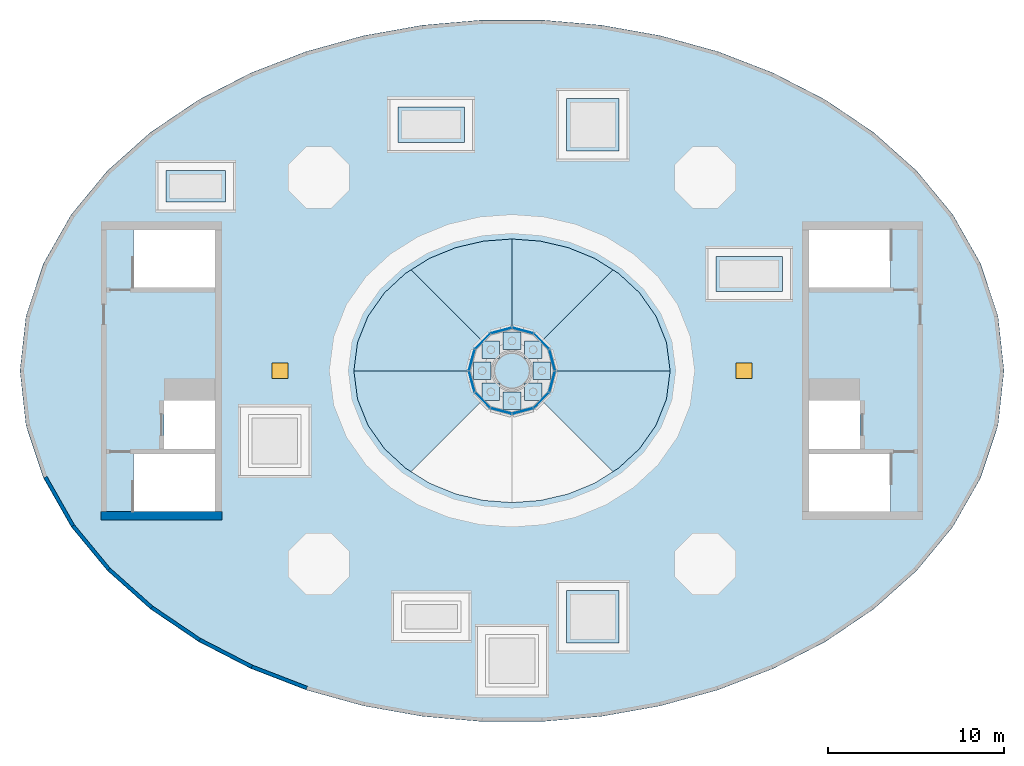
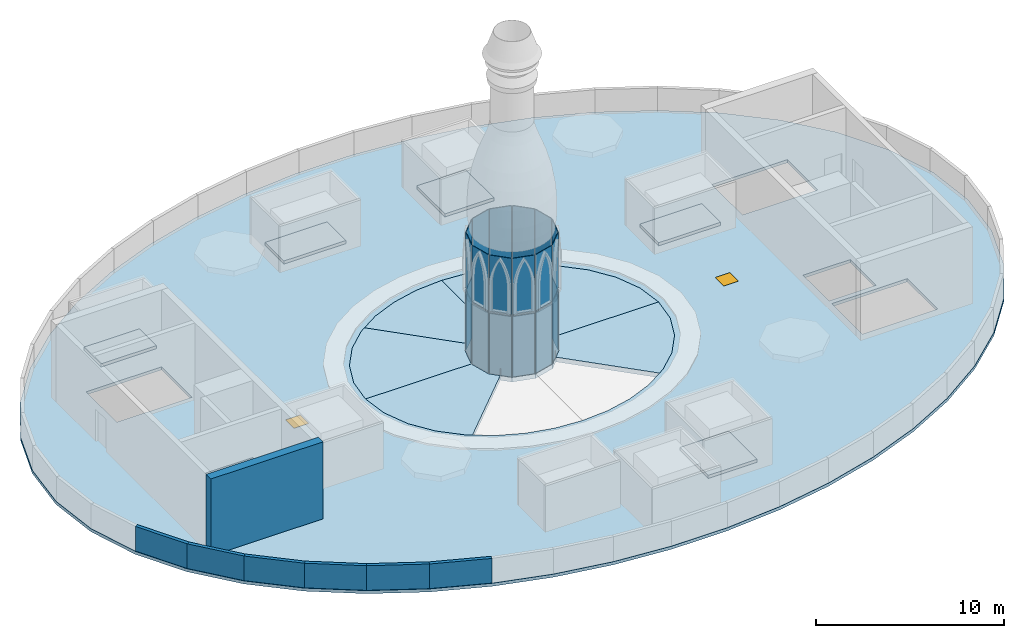
# One storey, part 2 of 7: 24 plates, 21 slabs, 7 walls, 2 windows, 2 openings, 12 elements without a shape of their own.
"""IFC4 building model written with IfcOpenShell, lengths in metres."""

import ifcopenshell
import ifcopenshell.guid

model = None  # the IFC model being written
_history = None  # IfcOwnerHistory: only IFC2X3 demands one
_inside = {}  # id of a spatial element -> (the spatial element, [elements in it])
_under = {}  # id of a project, library or spatial element -> (it, [spatial elements below it])
_declared = {}  # id of a project -> (the project, [libraries it declares])
_typed = {}  # id of a type object -> (the type object, [elements of that type])
_made_of = {}  # id of a material, layer set ... -> (it, [elements and type objects made of it])


def new_model(schema):
    """Start an empty IFC model of exactly this schema.

    Asked for "IFC4X3", IfcOpenShell would pick the latest addendum, in which some entities
    have other attributes; the version numbers below select the first issue.
    IFC2X3 requires an IfcOwnerHistory on every rooted entity: one is made here for all.
    """
    global model, _history
    if schema == "IFC4X3":
        model = ifcopenshell.file(schema_version=(4, 3, 0, 0))
    else:
        model = ifcopenshell.file(schema=schema)
    _inside.clear()
    _under.clear()
    _declared.clear()
    _typed.clear()
    _made_of.clear()
    _history = None
    if model.schema == "IFC2X3":
        org = make("IfcOrganization", Name="unknown")
        user = make(
            "IfcPersonAndOrganization",
            ThePerson=make("IfcPerson", FamilyName="unknown"),
            TheOrganization=org,
        )
        app = make(
            "IfcApplication",
            ApplicationDeveloper=org,
            Version="unknown",
            ApplicationFullName="unknown",
            ApplicationIdentifier="unknown",
        )
        _history = make(
            "IfcOwnerHistory",
            OwningUser=user,
            OwningApplication=app,
            ChangeAction="ADDED",
            CreationDate=0,
        )
    return model


def make(cls, **values):
    """One entity of the class cls with the attributes given. An attribute that is None is left unset."""
    return model.create_entity(
        cls, **{name: value for name, value in values.items() if value is not None}
    )


def rooted(cls, **values):
    """An entity with a GlobalId (a new one), such as an element, a storey or a relation."""
    return make(cls, GlobalId=ifcopenshell.guid.new(), OwnerHistory=_history, **values)


def si_unit(unit_type, name, prefix=None):
    """IfcSIUnit, for example si_unit("LENGTHUNIT", "METRE", prefix="MILLI")."""
    return make("IfcSIUnit", UnitType=unit_type, Prefix=prefix, Name=name)


def assignment(units):
    """IfcUnitAssignment: the units of a project."""
    return None if units is None else make("IfcUnitAssignment", Units=units)


def point(xyz):
    """IfcCartesianPoint."""
    return None if xyz is None else make("IfcCartesianPoint", Coordinates=xyz)


def direction(xyz):
    """IfcDirection."""
    return None if xyz is None else make("IfcDirection", DirectionRatios=xyz)


def frame(location, z_axis=None, x_axis=None):
    """IfcAxis2Placement3D, a coordinate frame: its origin and axes. An axis left out is left unset."""
    return make(
        "IfcAxis2Placement3D",
        Location=point(location),
        Axis=direction(z_axis),
        RefDirection=direction(x_axis),
    )


def frame_2d(location, x_axis=None):
    """IfcAxis2Placement2D, a coordinate frame in the plane: its origin and x axis."""
    return make(
        "IfcAxis2Placement2D", Location=point(location), RefDirection=direction(x_axis)
    )


def origin():
    """The frame at (0, 0, 0) with its axes left unset."""
    return frame((0.0, 0.0, 0.0))


def origin_2d():
    """The frame at (0, 0) in the plane with its x axis left unset."""
    return frame_2d((0.0, 0.0))


def place(relative_to, where):
    """IfcLocalPlacement: puts the frame where relative to a parent placement (None: the world)."""
    return make(
        "IfcLocalPlacement", PlacementRelTo=relative_to, RelativePlacement=where
    )


def context(
    kind, dimensions, precision=None, world=None, true_north=None, identifier=None
):
    """IfcGeometricRepresentationContext, for example the 3D "Model" context."""
    return make(
        "IfcGeometricRepresentationContext",
        ContextIdentifier=identifier,
        ContextType=kind,
        CoordinateSpaceDimension=dimensions,
        Precision=precision,
        WorldCoordinateSystem=world,
        TrueNorth=true_north,
    )


def subcontext(parent, identifier, kind, view, scale=None):
    """IfcGeometricRepresentationSubContext, for example "Body" below "Model"."""
    return make(
        "IfcGeometricRepresentationSubContext",
        ContextIdentifier=identifier,
        ContextType=kind,
        ParentContext=parent,
        TargetScale=scale,
        TargetView=view,
    )


def project(units=None, contexts=None):
    """IfcProject with its units and contexts."""
    return rooted(
        "IfcProject",
        Name="project",
        RepresentationContexts=contexts,
        UnitsInContext=assignment(units),
    )


def spatial(cls, under=None, at=None, **own):
    """A site, building, storey or space (cls), placed at a placement, below another one or the project."""
    s = rooted(cls, ObjectPlacement=at, **own)
    if under is not None:
        _under.setdefault(under.id(), (under, []))[1].append(s)
    return s


def polyline(points):
    """IfcPolyline through the points."""
    return make("IfcPolyline", Points=[point(p) for p in points])


def profile(cls, at=None, kind="AREA", **sizes):
    """A parametric profile (cls). Its sizes go by their IFC names, for example OverallWidth=200.0."""
    return make(cls, ProfileType=kind, Position=at, **sizes)


def rectangle(**sizes):
    """IfcRectangleProfileDef."""
    return profile("IfcRectangleProfileDef", **sizes)


def outline(outer, holes=None, kind="AREA"):
    """IfcArbitraryClosedProfileDef: a profile drawn as a closed curve; with holes, ...WithVoids."""
    if holes is None:
        return make("IfcArbitraryClosedProfileDef", ProfileType=kind, OuterCurve=outer)
    return make(
        "IfcArbitraryProfileDefWithVoids",
        ProfileType=kind,
        OuterCurve=outer,
        InnerCurves=holes,
    )


def extrude(swept, where, along, depth):
    """IfcExtrudedAreaSolid: the profile swept, set in the frame where, extruded along a direction by depth."""
    return make(
        "IfcExtrudedAreaSolid",
        SweptArea=swept,
        Position=where,
        ExtrudedDirection=direction(along),
        Depth=depth,
    )


def shape(context_of_items, identifier, shape_type, items):
    """IfcShapeRepresentation: the items that make up one representation, for example the "Body"."""
    return make(
        "IfcShapeRepresentation",
        ContextOfItems=context_of_items,
        RepresentationIdentifier=identifier,
        RepresentationType=shape_type,
        Items=items,
    )


def material(Name=None, Category=None):
    """IfcMaterial."""
    return make("IfcMaterial", Name=Name, Category=Category)


def layer(
    of_material, thickness, ventilated=None, Name=None, Category=None, Priority=None
):
    """IfcMaterialLayer: one layer of a wall or slab, of a material (None: an air gap)."""
    return make(
        "IfcMaterialLayer",
        Material=of_material,
        LayerThickness=thickness,
        IsVentilated=ventilated,
        Name=Name,
        Category=Category,
        Priority=Priority,
    )


def layer_set(layers, Name=None):
    """IfcMaterialLayerSet."""
    return make("IfcMaterialLayerSet", MaterialLayers=layers, LayerSetName=Name)


def made_of(thing, what):
    """Note that an element or type object is made of a material, layer set ...; save() writes the relation."""
    if what is not None:
        _made_of.setdefault(what.id(), (what, []))[1].append(thing)
    return thing


def type_object(cls, material=None, **own):
    """A type object (cls), such as IfcWallType, which elements share."""
    return made_of(rooted(cls, **own), material)


def element(
    cls,
    number,
    at=None,
    inside=None,
    cuts=None,
    type_object=None,
    material=None,
    context=None,
    identifier="Body",
    shape_type=None,
    held_by="IfcProductDefinitionShape",
    body=None,
    shapes=None,
    **own,
):
    """One element of the class cls, such as IfcWall. Its Tag is "e" and its number.

    at: its placement. inside: the storey or other place that contains it. cuts: it is an
    opening in that element (IfcRelVoidsElement). A single representation is given by context,
    identifier, shape_type and body (its items); several are given by shapes. held_by: the class
    of the entity that holds the representations. save() writes the other relations.
    """
    e = rooted(cls, Tag="e%d" % number, ObjectPlacement=at, **own)
    if body is not None:
        shapes = [shape(context, identifier, shape_type, body)]
    if shapes is not None:
        e.Representation = make(held_by, Representations=shapes)
    if inside is not None:
        _inside.setdefault(inside.id(), (inside, []))[1].append(e)
    if cuts is not None:
        rooted(
            "IfcRelVoidsElement", RelatingBuildingElement=cuts, RelatedOpeningElement=e
        )
    if type_object is not None:
        _typed.setdefault(type_object.id(), (type_object, []))[1].append(e)
    return made_of(e, material)


def fill(opening, filler):
    """IfcRelFillsElement: the door or window that sits in an opening."""
    return rooted(
        "IfcRelFillsElement",
        RelatingOpeningElement=opening,
        RelatedBuildingElement=filler,
    )


def aggregate(whole, parts):
    """IfcRelAggregates: a whole, such as a stair, and the parts it consists of."""
    return rooted("IfcRelAggregates", RelatingObject=whole, RelatedObjects=parts)


def save(model, path):
    """Write the relations noted so far, then the file.

    IfcRelAggregates (storeys below a building ...), IfcRelContainedInSpatialStructure (elements
    in a storey), IfcRelDefinesByType, IfcRelAssociatesMaterial and IfcRelDeclares: one each for
    every whole, place, type object, material and project.
    """
    for whole, parts in _under.values():
        aggregate(whole, parts)
    for where, things in _inside.values():
        rooted(
            "IfcRelContainedInSpatialStructure",
            RelatedElements=things,
            RelatingStructure=where,
        )
    for kind, things in _typed.values():
        rooted("IfcRelDefinesByType", RelatedObjects=things, RelatingType=kind)
    for what, things in _made_of.values():
        rooted("IfcRelAssociatesMaterial", RelatedObjects=things, RelatingMaterial=what)
    for by, libraries in _declared.values():
        rooted("IfcRelDeclares", RelatingContext=by, RelatedDefinitions=libraries)
    model.write(path)


model = new_model("IFC4")

# Units and contexts
model_context = context("Model", 3, precision=1e-05, world=origin(), true_north=direction((0.0, 1.0)))
body_context = subcontext(model_context, "Body", "Model", "MODEL_VIEW")
ifc_project = project(units=[si_unit("LENGTHUNIT", "METRE"), si_unit("AREAUNIT", "SQUARE_METRE"), si_unit("VOLUMEUNIT", "CUBIC_METRE"), si_unit("PLANEANGLEUNIT", "RADIAN"), si_unit("MASSUNIT", "GRAM", prefix="KILO")], contexts=[model_context])

# Site, building, storey
site_placement = place(None, origin())
site = spatial("IfcSite", under=ifc_project, at=site_placement, CompositionType="ELEMENT")
building_placement = place(site_placement, origin())
building = spatial("IfcBuilding", under=site, at=building_placement, Name="Noorbagh Ring Tower", CompositionType="ELEMENT")
storey_placement = place(building_placement, frame((0.0, 0.0, 356.5)))
storey = spatial("IfcBuildingStorey", under=building, at=storey_placement, Name="L78", CompositionType="ELEMENT", Elevation=356.5)

# Curtain wall, plates
ifc_material_1 = material(Name="Aluminium 6063-T6 black anodised and glass", Category="aluminium")
ifc_layer_1 = layer(ifc_material_1, 0.14990234375)
ifc_layer_set_1 = layer_set([ifc_layer_1], Name="Aluminium 6063-T6 black anodised and glass")
curtain_wall_type = type_object("IfcCurtainWallType", Name="ENV-CW-D", PredefinedType="NOTDEFINED", material=ifc_layer_set_1)
curtain_wall_1_placement = place(storey_placement, origin())
curtain_wall_1 = element("IfcCurtainWall", 1, at=curtain_wall_1_placement, inside=storey, type_object=curtain_wall_type, Name="Curtain wall D drum 01", PredefinedType="NOTDEFINED")
ifc_material_2 = material(Name="Glass dark tinted laminated", Category="glass")
ifc_layer_2 = layer(ifc_material_2, 0.031982421875)
ifc_layer_set_2 = layer_set([ifc_layer_2], Name="Glass dark tinted laminated")
plate_type = type_object("IfcPlateType", Name="ENV-PANEL-D", PredefinedType="CURTAIN_PANEL", material=ifc_layer_set_2)
placement = place(building_placement, frame((0.0, 0.0, 360.14990234375)))
plate_1_placement = place(placement, frame((2.2890625, 0.61328125, 0.400146484375), z_axis=(0.0, 0.0, 1.0), x_axis=(-0.258819045103, 0.965925826289, 0.0)))
plate_1 = element("IfcPlate", 2, at=plate_1_placement, type_object=plate_type, Name="Glass panel D chord 01", PredefinedType="CURTAIN_PANEL", context=body_context, shape_type="SweptSolid", body=[
    extrude(rectangle(XDim=1.2138671875, YDim=0.031982421875, at=origin_2d()), origin(), (0.0, 0.0, 1.0), 3.64990234375),
])
plate_2_placement = place(storey_placement, frame((2.2890625, 0.61328125, 0.0), z_axis=(0.0, 0.0, 1.0), x_axis=(-0.258819045103, 0.965925826289, 0.0)))
plate_2 = element("IfcPlate", 3, at=plate_2_placement, type_object=plate_type, Name="Glass panel D chord 01 lower", PredefinedType="CURTAIN_PANEL", context=body_context, shape_type="SweptSolid", body=[
    extrude(rectangle(XDim=1.2138671875, YDim=0.031982421875, at=origin_2d()), origin(), (0.0, 0.0, 1.0), 3.949951171875),
])
aggregate(curtain_wall_1, [plate_1, plate_2])

curtain_wall_2_placement = place(storey_placement, origin())
curtain_wall_2 = element("IfcCurtainWall", 4, at=curtain_wall_2_placement, inside=storey, type_object=curtain_wall_type, Name="Curtain wall D drum 02", PredefinedType="NOTDEFINED")
plate_3_placement = place(placement, frame((1.67578125, 1.67578125, 0.400146484375), z_axis=(0.0, 0.0, 1.0), x_axis=(-0.707106781187, 0.707106781187, 0.0)))
plate_3 = element("IfcPlate", 5, at=plate_3_placement, type_object=plate_type, Name="Glass panel D chord 02", PredefinedType="CURTAIN_PANEL", context=body_context, shape_type="SweptSolid", body=[
    extrude(rectangle(XDim=1.2138671875, YDim=0.031982421875, at=origin_2d()), origin(), (0.0, 0.0, 1.0), 3.64990234375),
])
plate_4_placement = place(storey_placement, frame((1.67578125, 1.67578125, 0.0), z_axis=(0.0, 0.0, 1.0), x_axis=(-0.707106781187, 0.707106781187, 0.0)))
plate_4 = element("IfcPlate", 6, at=plate_4_placement, type_object=plate_type, Name="Glass panel D chord 02 lower", PredefinedType="CURTAIN_PANEL", context=body_context, shape_type="SweptSolid", body=[
    extrude(rectangle(XDim=1.2138671875, YDim=0.031982421875, at=origin_2d()), origin(), (0.0, 0.0, 1.0), 3.949951171875),
])
aggregate(curtain_wall_2, [plate_3, plate_4])

curtain_wall_3_placement = place(storey_placement, origin())
curtain_wall_3 = element("IfcCurtainWall", 7, at=curtain_wall_3_placement, inside=storey, type_object=curtain_wall_type, Name="Curtain wall D drum 03", PredefinedType="NOTDEFINED")
plate_5_placement = place(placement, frame((0.61328125, 2.2890625, 0.400146484375), z_axis=(0.0, 0.0, 1.0), x_axis=(-0.965925826289, 0.258819045103, 0.0)))
plate_5 = element("IfcPlate", 8, at=plate_5_placement, type_object=plate_type, Name="Glass panel D chord 03", PredefinedType="CURTAIN_PANEL", context=body_context, shape_type="SweptSolid", body=[
    extrude(rectangle(XDim=1.2138671875, YDim=0.031982421875, at=origin_2d()), origin(), (0.0, 0.0, 1.0), 3.64990234375),
])
plate_6_placement = place(storey_placement, frame((0.61328125, 2.2890625, 0.0), z_axis=(0.0, 0.0, 1.0), x_axis=(-0.965925826289, 0.258819045103, 0.0)))
plate_6 = element("IfcPlate", 9, at=plate_6_placement, type_object=plate_type, Name="Glass panel D chord 03 lower", PredefinedType="CURTAIN_PANEL", context=body_context, shape_type="SweptSolid", body=[
    extrude(rectangle(XDim=1.2138671875, YDim=0.031982421875, at=origin_2d()), origin(), (0.0, 0.0, 1.0), 3.949951171875),
])
aggregate(curtain_wall_3, [plate_5, plate_6])

curtain_wall_4_placement = place(storey_placement, origin())
curtain_wall_4 = element("IfcCurtainWall", 10, at=curtain_wall_4_placement, inside=storey, type_object=curtain_wall_type, Name="Curtain wall D drum 04", PredefinedType="NOTDEFINED")
plate_7_placement = place(placement, frame((-0.61328125, 2.2890625, 0.400146484375), z_axis=(0.0, 0.0, 1.0), x_axis=(-0.965925826289, -0.258819045103, 0.0)))
plate_7 = element("IfcPlate", 11, at=plate_7_placement, type_object=plate_type, Name="Glass panel D chord 04", PredefinedType="CURTAIN_PANEL", context=body_context, shape_type="SweptSolid", body=[
    extrude(rectangle(XDim=1.2138671875, YDim=0.031982421875, at=origin_2d()), origin(), (0.0, 0.0, 1.0), 3.64990234375),
])
plate_8_placement = place(storey_placement, frame((-0.61328125, 2.2890625, 0.0), z_axis=(0.0, 0.0, 1.0), x_axis=(-0.965925826289, -0.258819045103, 0.0)))
plate_8 = element("IfcPlate", 12, at=plate_8_placement, type_object=plate_type, Name="Glass panel D chord 04 lower", PredefinedType="CURTAIN_PANEL", context=body_context, shape_type="SweptSolid", body=[
    extrude(rectangle(XDim=1.2138671875, YDim=0.031982421875, at=origin_2d()), origin(), (0.0, 0.0, 1.0), 3.949951171875),
])
aggregate(curtain_wall_4, [plate_7, plate_8])

curtain_wall_5_placement = place(storey_placement, origin())
curtain_wall_5 = element("IfcCurtainWall", 13, at=curtain_wall_5_placement, inside=storey, type_object=curtain_wall_type, Name="Curtain wall D drum 05", PredefinedType="NOTDEFINED")
plate_9_placement = place(placement, frame((-1.67578125, 1.67578125, 0.400146484375), z_axis=(0.0, 0.0, 1.0), x_axis=(-0.707106781187, -0.707106781187, 0.0)))
plate_9 = element("IfcPlate", 14, at=plate_9_placement, type_object=plate_type, Name="Glass panel D chord 05", PredefinedType="CURTAIN_PANEL", context=body_context, shape_type="SweptSolid", body=[
    extrude(rectangle(XDim=1.2138671875, YDim=0.031982421875, at=origin_2d()), origin(), (0.0, 0.0, 1.0), 3.64990234375),
])
plate_10_placement = place(storey_placement, frame((-1.67578125, 1.67578125, 0.0), z_axis=(0.0, 0.0, 1.0), x_axis=(-0.707106781187, -0.707106781187, 0.0)))
plate_10 = element("IfcPlate", 15, at=plate_10_placement, type_object=plate_type, Name="Glass panel D chord 05 lower", PredefinedType="CURTAIN_PANEL", context=body_context, shape_type="SweptSolid", body=[
    extrude(rectangle(XDim=1.2138671875, YDim=0.031982421875, at=origin_2d()), origin(), (0.0, 0.0, 1.0), 3.949951171875),
])
aggregate(curtain_wall_5, [plate_9, plate_10])

curtain_wall_6_placement = place(storey_placement, origin())
curtain_wall_6 = element("IfcCurtainWall", 16, at=curtain_wall_6_placement, inside=storey, type_object=curtain_wall_type, Name="Curtain wall D drum 06", PredefinedType="NOTDEFINED")
plate_11_placement = place(placement, frame((-2.2890625, 0.61328125, 0.400146484375), z_axis=(0.0, 0.0, 1.0), x_axis=(-0.258819045103, -0.965925826289, 0.0)))
plate_11 = element("IfcPlate", 17, at=plate_11_placement, type_object=plate_type, Name="Glass panel D chord 06", PredefinedType="CURTAIN_PANEL", context=body_context, shape_type="SweptSolid", body=[
    extrude(rectangle(XDim=1.2138671875, YDim=0.031982421875, at=origin_2d()), origin(), (0.0, 0.0, 1.0), 3.64990234375),
])
plate_12_placement = place(storey_placement, frame((-2.2890625, 0.61328125, 0.0), z_axis=(0.0, 0.0, 1.0), x_axis=(-0.258819045103, -0.965925826289, 0.0)))
plate_12 = element("IfcPlate", 18, at=plate_12_placement, type_object=plate_type, Name="Glass panel D chord 06 lower", PredefinedType="CURTAIN_PANEL", context=body_context, shape_type="SweptSolid", body=[
    extrude(rectangle(XDim=1.2138671875, YDim=0.031982421875, at=origin_2d()), origin(), (0.0, 0.0, 1.0), 3.949951171875),
])
aggregate(curtain_wall_6, [plate_11, plate_12])

curtain_wall_7_placement = place(storey_placement, origin())
curtain_wall_7 = element("IfcCurtainWall", 19, at=curtain_wall_7_placement, inside=storey, type_object=curtain_wall_type, Name="Curtain wall D drum 07", PredefinedType="NOTDEFINED")
plate_13_placement = place(placement, frame((-2.2890625, -0.61328125, 0.400146484375), z_axis=(0.0, 0.0, 1.0), x_axis=(0.258819045103, -0.965925826289, 0.0)))
plate_13 = element("IfcPlate", 20, at=plate_13_placement, type_object=plate_type, Name="Glass panel D chord 07", PredefinedType="CURTAIN_PANEL", context=body_context, shape_type="SweptSolid", body=[
    extrude(rectangle(XDim=1.2138671875, YDim=0.031982421875, at=origin_2d()), origin(), (0.0, 0.0, 1.0), 3.64990234375),
])
plate_14_placement = place(storey_placement, frame((-2.2890625, -0.61328125, 0.0), z_axis=(0.0, 0.0, 1.0), x_axis=(0.258819045103, -0.965925826289, 0.0)))
plate_14 = element("IfcPlate", 21, at=plate_14_placement, type_object=plate_type, Name="Glass panel D chord 07 lower", PredefinedType="CURTAIN_PANEL", context=body_context, shape_type="SweptSolid", body=[
    extrude(rectangle(XDim=1.2138671875, YDim=0.031982421875, at=origin_2d()), origin(), (0.0, 0.0, 1.0), 3.949951171875),
])
aggregate(curtain_wall_7, [plate_13, plate_14])

curtain_wall_8_placement = place(storey_placement, origin())
curtain_wall_8 = element("IfcCurtainWall", 22, at=curtain_wall_8_placement, inside=storey, type_object=curtain_wall_type, Name="Curtain wall D drum 08", PredefinedType="NOTDEFINED")
plate_15_placement = place(placement, frame((-1.67578125, -1.67578125, 0.400146484375), z_axis=(0.0, 0.0, 1.0), x_axis=(0.707106781187, -0.707106781187, 0.0)))
plate_15 = element("IfcPlate", 23, at=plate_15_placement, type_object=plate_type, Name="Glass panel D chord 08", PredefinedType="CURTAIN_PANEL", context=body_context, shape_type="SweptSolid", body=[
    extrude(rectangle(XDim=1.2138671875, YDim=0.031982421875, at=origin_2d()), origin(), (0.0, 0.0, 1.0), 3.64990234375),
])
plate_16_placement = place(storey_placement, frame((-1.67578125, -1.67578125, 0.0), z_axis=(0.0, 0.0, 1.0), x_axis=(0.707106781187, -0.707106781187, 0.0)))
plate_16 = element("IfcPlate", 24, at=plate_16_placement, type_object=plate_type, Name="Glass panel D chord 08 lower", PredefinedType="CURTAIN_PANEL", context=body_context, shape_type="SweptSolid", body=[
    extrude(rectangle(XDim=1.2138671875, YDim=0.031982421875, at=origin_2d()), origin(), (0.0, 0.0, 1.0), 3.949951171875),
])
aggregate(curtain_wall_8, [plate_15, plate_16])

curtain_wall_9_placement = place(storey_placement, origin())
curtain_wall_9 = element("IfcCurtainWall", 25, at=curtain_wall_9_placement, inside=storey, type_object=curtain_wall_type, Name="Curtain wall D drum 09", PredefinedType="NOTDEFINED")
plate_17_placement = place(placement, frame((-0.61328125, -2.2890625, 0.400146484375), z_axis=(0.0, 0.0, 1.0), x_axis=(0.965925826289, -0.258819045103, 0.0)))
plate_17 = element("IfcPlate", 26, at=plate_17_placement, type_object=plate_type, Name="Glass panel D chord 09", PredefinedType="CURTAIN_PANEL", context=body_context, shape_type="SweptSolid", body=[
    extrude(rectangle(XDim=1.2138671875, YDim=0.031982421875, at=origin_2d()), origin(), (0.0, 0.0, 1.0), 3.64990234375),
])
plate_18_placement = place(storey_placement, frame((-0.61328125, -2.2890625, 0.0), z_axis=(0.0, 0.0, 1.0), x_axis=(0.965925826289, -0.258819045103, 0.0)))
plate_18 = element("IfcPlate", 27, at=plate_18_placement, type_object=plate_type, Name="Glass panel D chord 09 lower", PredefinedType="CURTAIN_PANEL", context=body_context, shape_type="SweptSolid", body=[
    extrude(rectangle(XDim=1.2138671875, YDim=0.031982421875, at=origin_2d()), origin(), (0.0, 0.0, 1.0), 3.949951171875),
])
aggregate(curtain_wall_9, [plate_17, plate_18])

curtain_wall_10_placement = place(storey_placement, origin())
curtain_wall_10 = element("IfcCurtainWall", 28, at=curtain_wall_10_placement, inside=storey, type_object=curtain_wall_type, Name="Curtain wall D drum 10", PredefinedType="NOTDEFINED")
plate_19_placement = place(placement, frame((0.61328125, -2.2890625, 0.400146484375), z_axis=(0.0, 0.0, 1.0), x_axis=(0.965925826289, 0.258819045103, 0.0)))
plate_19 = element("IfcPlate", 29, at=plate_19_placement, type_object=plate_type, Name="Glass panel D chord 10", PredefinedType="CURTAIN_PANEL", context=body_context, shape_type="SweptSolid", body=[
    extrude(rectangle(XDim=1.2138671875, YDim=0.031982421875, at=origin_2d()), origin(), (0.0, 0.0, 1.0), 3.64990234375),
])
plate_20_placement = place(storey_placement, frame((0.61328125, -2.2890625, 0.0), z_axis=(0.0, 0.0, 1.0), x_axis=(0.965925826289, 0.258819045103, 0.0)))
plate_20 = element("IfcPlate", 30, at=plate_20_placement, type_object=plate_type, Name="Glass panel D chord 10 lower", PredefinedType="CURTAIN_PANEL", context=body_context, shape_type="SweptSolid", body=[
    extrude(rectangle(XDim=1.2138671875, YDim=0.031982421875, at=origin_2d()), origin(), (0.0, 0.0, 1.0), 3.949951171875),
])
aggregate(curtain_wall_10, [plate_19, plate_20])

curtain_wall_11_placement = place(storey_placement, origin())
curtain_wall_11 = element("IfcCurtainWall", 31, at=curtain_wall_11_placement, inside=storey, type_object=curtain_wall_type, Name="Curtain wall D drum 11", PredefinedType="NOTDEFINED")
plate_21_placement = place(placement, frame((1.67578125, -1.67578125, 0.400146484375), z_axis=(0.0, 0.0, 1.0), x_axis=(0.707106781187, 0.707106781187, 0.0)))
plate_21 = element("IfcPlate", 32, at=plate_21_placement, type_object=plate_type, Name="Glass panel D chord 11", PredefinedType="CURTAIN_PANEL", context=body_context, shape_type="SweptSolid", body=[
    extrude(rectangle(XDim=1.2138671875, YDim=0.031982421875, at=origin_2d()), origin(), (0.0, 0.0, 1.0), 3.64990234375),
])
plate_22_placement = place(storey_placement, frame((1.67578125, -1.67578125, 0.0), z_axis=(0.0, 0.0, 1.0), x_axis=(0.707106781187, 0.707106781187, 0.0)))
plate_22 = element("IfcPlate", 33, at=plate_22_placement, type_object=plate_type, Name="Glass panel D chord 11 lower", PredefinedType="CURTAIN_PANEL", context=body_context, shape_type="SweptSolid", body=[
    extrude(rectangle(XDim=1.2138671875, YDim=0.031982421875, at=origin_2d()), origin(), (0.0, 0.0, 1.0), 3.949951171875),
])
aggregate(curtain_wall_11, [plate_21, plate_22])

curtain_wall_12_placement = place(storey_placement, origin())
curtain_wall_12 = element("IfcCurtainWall", 34, at=curtain_wall_12_placement, inside=storey, type_object=curtain_wall_type, Name="Curtain wall D drum 12", PredefinedType="NOTDEFINED")
plate_23_placement = place(placement, frame((2.2890625, -0.61328125, 0.400146484375), z_axis=(0.0, 0.0, 1.0), x_axis=(0.258819045103, 0.965925826289, 0.0)))
plate_23 = element("IfcPlate", 35, at=plate_23_placement, type_object=plate_type, Name="Glass panel D chord 12", PredefinedType="CURTAIN_PANEL", context=body_context, shape_type="SweptSolid", body=[
    extrude(rectangle(XDim=1.2138671875, YDim=0.031982421875, at=origin_2d()), origin(), (0.0, 0.0, 1.0), 3.64990234375),
])
plate_24_placement = place(storey_placement, frame((2.2890625, -0.61328125, 0.0), z_axis=(0.0, 0.0, 1.0), x_axis=(0.258819045103, 0.965925826289, 0.0)))
plate_24 = element("IfcPlate", 36, at=plate_24_placement, type_object=plate_type, Name="Glass panel D chord 12 lower", PredefinedType="CURTAIN_PANEL", context=body_context, shape_type="SweptSolid", body=[
    extrude(rectangle(XDim=1.2138671875, YDim=0.031982421875, at=origin_2d()), origin(), (0.0, 0.0, 1.0), 3.949951171875),
])
aggregate(curtain_wall_12, [plate_23, plate_24])

# Slabs
ifc_material_3 = material(Name="Concrete C30/37", Category="concrete")
ifc_layer_3 = layer(ifc_material_3, 0.199951171875)
ifc_layer_set_3 = layer_set([ifc_layer_3], Name="Concrete C30/37")
slab_type_1 = type_object("IfcSlabType", Name="ENV-PLINTH", PredefinedType="FLOOR", material=ifc_layer_set_3)
slab_1_placement = place(storey_placement, frame((13.5, 5.5, 0.0), z_axis=(0.0, 0.0, 1.0), x_axis=(1.0, 0.0, 0.0)))
element("IfcSlab", 37, at=slab_1_placement, inside=storey, type_object=slab_type_1, Name="Equipment plinth 1", PredefinedType="FLOOR", context=body_context, shape_type="SweptSolid", body=[
    extrude(rectangle(XDim=3.800048828125, YDim=2.0, at=origin_2d()), origin(), (0.0, 0.0, 1.0), 0.199951171875),
])
slab_2_placement = place(storey_placement, frame((-18.0, 10.5, 0.0), z_axis=(0.0, 0.0, 1.0), x_axis=(1.0, 0.0, 0.0)))
element("IfcSlab", 38, at=slab_2_placement, inside=storey, type_object=slab_type_1, Name="Equipment plinth 3", PredefinedType="FLOOR", context=body_context, shape_type="SweptSolid", body=[
    extrude(rectangle(XDim=3.39990234375, YDim=1.800048828125, at=origin_2d()), origin(), (0.0, 0.0, 1.0), 0.199951171875),
])
slab_3_placement = place(storey_placement, frame((-4.60009765625, 14.0, 0.0), z_axis=(0.0, 0.0, 1.0), x_axis=(1.0, 0.0, 0.0)))
element("IfcSlab", 39, at=slab_3_placement, inside=storey, type_object=slab_type_1, Name="Equipment plinth 5", PredefinedType="FLOOR", context=body_context, shape_type="SweptSolid", body=[
    extrude(rectangle(XDim=3.800048828125, YDim=2.0, at=origin_2d()), origin(), (0.0, 0.0, 1.0), 0.199951171875),
])
for number, where, z_axis, x_axis, name in (
    (40, (4.60009765625, 14.0, 0.0), (0.0, 0.0, 1.0), (1.0, 0.0, 0.0), "Equipment plinth 6"),
    (41, (4.60009765625, -14.0, 0.0), (0.0, 0.0, 1.0), (1.0, 0.0, 0.0), "Equipment plinth 8"),
):
    element("IfcSlab", number, at=place(storey_placement, frame(where, z_axis=z_axis, x_axis=x_axis)), inside=storey, type_object=slab_type_1, Name=name, PredefinedType="FLOOR", context=body_context, shape_type="SweptSolid", body=[
        extrude(rectangle(XDim=3.0, YDim=3.0, at=origin_2d()), origin(), (0.0, 0.0, 1.0), 0.199951171875),
    ])
ifc_material_4 = material(Name="Laminated structural glass", Category="glass")
ifc_layer_4 = layer(ifc_material_4, 0.300048828125)
ifc_layer_set_4 = layer_set([ifc_layer_4], Name="Laminated structural glass")
slab_type_2 = type_object("IfcSlabType", Name="ENV-WELL-LID", PredefinedType="ROOF", material=ifc_layer_set_4)
slab_4_placement = place(storey_placement, frame((0.0, 0.0, -0.300048828125)))
element("IfcSlab", 42, at=slab_4_placement, inside=storey, type_object=slab_type_2, Name="Well glazing 1", PredefinedType="ROOF", context=body_context, shape_type="SweptSolid", body=[
    extrude(outline(polyline([(6.071044921875, 5.53662109375), (7.2587890625, 4.43408203125), (8.1904296875, 3.10888671875), (8.79150390625, 1.605224609375), (9.0, 0.0), (2.5, 0.0), (2.1650390625, 1.25), (1.70751953125, 1.70751953125), (5.742431640625, 5.742431640625), (6.071044921875, 5.53662109375)])), origin(), (0.0, 0.0, 1.0), 0.300048828125),
])
slab_5_placement = place(storey_placement, frame((0.0, 0.0, -0.300048828125)))
element("IfcSlab", 43, at=slab_5_placement, inside=storey, type_object=slab_type_2, Name="Well glazing 2", PredefinedType="ROOF", context=body_context, shape_type="SweptSolid", body=[
    extrude(outline(polyline([(0.0, 7.5), (1.6171875, 7.3779296875), (3.196533203125, 7.010986328125), (4.697509765625, 6.3974609375), (5.742431640625, 5.742431640625), (1.70751953125, 1.70751953125), (1.25, 2.1650390625), (0.0, 2.5), (0.0, 7.5), (0.0, 7.5)])), origin(), (0.0, 0.0, 1.0), 0.300048828125),
])
slab_6_placement = place(storey_placement, frame((0.0, 0.0, -0.300048828125)))
element("IfcSlab", 44, at=slab_6_placement, inside=storey, type_object=slab_type_2, Name="Well glazing 3", PredefinedType="ROOF", context=body_context, shape_type="SweptSolid", body=[
    extrude(outline(polyline([(-4.697509765625, 6.3974609375), (-3.196533203125, 7.010986328125), (-1.6171875, 7.3779296875), (0.0, 7.5), (0.0, 2.5), (-1.25, 2.1650390625), (-1.70751953125, 1.70751953125), (-5.742431640625, 5.742431640625), (-4.697509765625, 6.3974609375)])), origin(), (0.0, 0.0, 1.0), 0.300048828125),
])
slab_7_placement = place(storey_placement, frame((0.0, 0.0, -0.300048828125)))
element("IfcSlab", 45, at=slab_7_placement, inside=storey, type_object=slab_type_2, Name="Well glazing 4", PredefinedType="ROOF", context=body_context, shape_type="SweptSolid", body=[
    extrude(outline(polyline([(-9.0, 0.0), (-8.79150390625, 1.605224609375), (-8.1904296875, 3.10888671875), (-7.2587890625, 4.43408203125), (-6.071044921875, 5.53662109375), (-5.742431640625, 5.742431640625), (-1.70751953125, 1.70751953125), (-2.1650390625, 1.25), (-2.5, 0.0), (-9.0, 0.0), (-9.0, 0.0)])), origin(), (0.0, 0.0, 1.0), 0.300048828125),
])
slab_8_placement = place(storey_placement, frame((0.0, 0.0, -0.300048828125)))
element("IfcSlab", 46, at=slab_8_placement, inside=storey, type_object=slab_type_2, Name="Well glazing 5", PredefinedType="ROOF", context=body_context, shape_type="SweptSolid", body=[
    extrude(outline(polyline([(-6.071044921875, -5.53662109375), (-7.2587890625, -4.43408203125), (-8.1904296875, -3.10888671875), (-8.79150390625, -1.605224609375), (-9.0, 0.0), (-2.5, 0.0), (-2.1650390625, -1.25), (-1.70751953125, -1.70751953125), (-5.742431640625, -5.742431640625), (-6.071044921875, -5.53662109375)])), origin(), (0.0, 0.0, 1.0), 0.300048828125),
])
slab_9_placement = place(storey_placement, frame((0.0, 0.0, -0.300048828125)))
element("IfcSlab", 47, at=slab_9_placement, inside=storey, type_object=slab_type_2, Name="Well glazing 8", PredefinedType="ROOF", context=body_context, shape_type="SweptSolid", body=[
    extrude(outline(polyline([(8.1904296875, -3.10888671875), (7.2587890625, -4.43408203125), (6.071044921875, -5.53662109375), (5.742431640625, -5.742431640625), (1.70751953125, -1.70751953125), (2.1650390625, -1.25), (2.5, 0.0), (9.0, 0.0), (8.79150390625, -1.605224609375), (8.1904296875, -3.10888671875)])), origin(), (0.0, 0.0, 1.0), 0.300048828125),
])
ifc_material_5 = material(Name="Concrete C40/50", Category="concrete")
ifc_layer_5 = layer(ifc_material_5, 0.300048828125)
ifc_layer_set_5 = layer_set([ifc_layer_5], Name="Concrete C40/50")
slab_type_3 = type_object("IfcSlabType", Name="STR-DRUM-DECK-300", PredefinedType="FLOOR", material=ifc_layer_set_5)
slab_10_placement = place(storey_placement, frame((0.0, 0.0, -0.300048828125)))
element("IfcSlab", 48, at=slab_10_placement, inside=storey, type_object=slab_type_3, Name="L78/slab/1", PredefinedType="FLOOR", context=body_context, shape_type="SweptSolid", body=[
    extrude(outline(polyline([(2.5, 0.0), (2.1650390625, 1.25), (1.25, 2.1650390625), (0.0, 2.5), (-1.25, 2.1650390625), (-2.1650390625, 1.25), (-2.5, 0.0), (-2.1650390625, -1.25), (-1.25, -2.1650390625), (0.0, -2.5), (1.25, -2.1650390625), (2.1650390625, -1.25), (2.5, 0.0)])), origin(), (0.0, 0.0, 1.0), 0.300048828125),
])
ifc_material_6 = material(Name="Concrete C40/50", Category="concrete")
ifc_layer_6 = layer(ifc_material_6, 0.449951171875)
ifc_layer_set_6 = layer_set([ifc_layer_6], Name="Concrete C40/50")
slab_type_4 = type_object("IfcSlabType", Name="STR-POST-BEARING-PAD-450", PredefinedType="FLOOR", material=ifc_layer_set_6)
for number, where, z_axis, x_axis, name in (
    (49, (1.699951171875, 0.0, 0.0), (0.0, 0.0, 1.0), (1.0, 0.0, 0.0), "Post bearing pad"),
    (50, (1.2021484375, 1.2021484375, 0.0), (0.0, 0.0, 1.0), (1.0, 0.0, 0.0), "Post bearing pad"),
    (51, (0.0, 1.699951171875, 0.0), (0.0, 0.0, 1.0), (1.0, 0.0, 0.0), "Post bearing pad"),
    (52, (-1.2021484375, 1.2021484375, 0.0), (0.0, 0.0, 1.0), (1.0, 0.0, 0.0), "Post bearing pad"),
    (53, (-1.699951171875, 0.0, 0.0), (0.0, 0.0, 1.0), (1.0, 0.0, 0.0), "Post bearing pad"),
    (54, (-1.2021484375, -1.2021484375, 0.0), (0.0, 0.0, 1.0), (1.0, 0.0, 0.0), "Post bearing pad"),
    (55, (0.0, -1.699951171875, 0.0), (0.0, 0.0, 1.0), (1.0, 0.0, 0.0), "Post bearing pad"),
    (56, (1.2021484375, -1.2021484375, 0.0), (0.0, 0.0, 1.0), (1.0, 0.0, 0.0), "Post bearing pad"),
):
    element("IfcSlab", number, at=place(storey_placement, frame(where, z_axis=z_axis, x_axis=x_axis)), inside=storey, type_object=slab_type_4, Name=name, PredefinedType="FLOOR", context=body_context, shape_type="SweptSolid", body=[
        extrude(rectangle(XDim=1.0, YDim=1.0, at=origin_2d()), origin(), (0.0, 0.0, 1.0), 0.449951171875),
    ])

# Slab, openings, windows
ifc_material_7 = material(Name="Concrete C40/50", Category="concrete")
ifc_layer_7 = layer(ifc_material_7, 0.199951171875)
ifc_layer_set_7 = layer_set([ifc_layer_7], Name="Concrete C40/50")
slab_type_5 = type_object("IfcSlabType", Name="STR-ROOF-LEDGE-200", PredefinedType="ROOF", material=ifc_layer_set_7)
slab_11_placement = place(storey_placement, frame((0.0, 0.0, -0.199951171875)))
slab_11 = element("IfcSlab", 57, at=slab_11_placement, inside=storey, type_object=slab_type_5, Name="L77/slab/ledge-1", PredefinedType="ROOF", context=body_context, shape_type="SweptSolid", body=[
    extrude(outline(polyline([(27.65869140625, -3.11328125), (28.0, 0.0), (27.65869140625, 3.11328125), (26.6630859375, 6.106201171875), (25.08740234375, 8.882080078125), (23.028076171875, 11.377197265625), (20.58251953125, 13.5595703125), (17.83642578125, 15.4169921875), (14.862060546875, 16.9501953125), (11.717529296875, 18.16455078125), (8.45068359375, 19.0673828125), (5.10205078125, 19.665283203125), (1.705810546875, 19.962890625), (-1.705810546875, 19.962890625), (-5.10205078125, 19.665283203125), (-8.45068359375, 19.0673828125), (-11.717529296875, 18.16455078125), (-14.862060546875, 16.9501953125), (-17.83642578125, 15.4169921875), (-20.58251953125, 13.5595703125), (-23.028076171875, 11.377197265625), (-25.08740234375, 8.882080078125), (-26.6630859375, 6.106201171875), (-27.65869140625, 3.11328125), (-28.0, 0.0), (-27.65869140625, -3.11328125), (-26.6630859375, -6.106201171875), (-25.08740234375, -8.882080078125), (-23.028076171875, -11.377197265625), (-20.58251953125, -13.5595703125), (-17.83642578125, -15.4169921875), (-14.862060546875, -16.9501953125), (-11.717529296875, -18.16455078125), (-8.45068359375, -19.0673828125), (-5.10205078125, -19.665283203125), (-1.705810546875, -19.962890625), (1.705810546875, -19.962890625), (5.10205078125, -19.665283203125), (8.45068359375, -19.0673828125), (11.717529296875, -18.16455078125), (14.862060546875, -16.9501953125), (17.83642578125, -15.4169921875), (20.58251953125, -13.5595703125), (23.028076171875, -11.377197265625), (25.08740234375, -8.882080078125), (26.6630859375, -6.106201171875), (27.65869140625, -3.11328125)]), holes=[polyline([(9.0, 0.0), (8.79150390625, -1.605224609375), (8.1904296875, -3.10888671875), (7.2587890625, -4.43408203125), (6.071044921875, -5.53662109375), (4.697509765625, -6.3974609375), (3.196533203125, -7.010986328125), (1.6171875, -7.3779296875), (0.0, -7.5), (-1.6171875, -7.3779296875), (-3.196533203125, -7.010986328125), (-4.697509765625, -6.3974609375), (-6.071044921875, -5.53662109375), (-7.2587890625, -4.43408203125), (-8.1904296875, -3.10888671875), (-8.79150390625, -1.605224609375), (-9.0, 0.0), (-8.79150390625, 1.605224609375), (-8.1904296875, 3.10888671875), (-7.2587890625, 4.43408203125), (-6.071044921875, 5.53662109375), (-4.697509765625, 6.3974609375), (-3.196533203125, 7.010986328125), (-1.6171875, 7.3779296875), (0.0, 7.5), (1.6171875, 7.3779296875), (3.196533203125, 7.010986328125), (4.697509765625, 6.3974609375), (6.071044921875, 5.53662109375), (7.2587890625, 4.43408203125), (8.1904296875, 3.10888671875), (8.79150390625, 1.605224609375), (9.0, 0.0)]), polyline([(16.89990234375, -4.75), (21.529541015625, -4.75), (21.529541015625, -8.0), (16.89990234375, -8.0), (16.89990234375, -4.75)]), polyline([(16.89990234375, 8.0), (21.529541015625, 8.0), (21.529541015625, 4.75), (16.89990234375, 4.75), (16.89990234375, 8.0)]), polyline([(19.800048828125, -1.699951171875), (19.800048828125, -4.449951171875), (16.89990234375, -4.449951171875), (16.89990234375, -1.699951171875), (19.800048828125, -1.699951171875)]), polyline([(-19.800048828125, -1.699951171875), (-16.89990234375, -1.699951171875), (-16.89990234375, -4.449951171875), (-19.800048828125, -4.449951171875), (-19.800048828125, -1.699951171875)]), polyline([(-16.89990234375, -4.75), (-16.89990234375, -8.0), (-21.529541015625, -8.0), (-21.529541015625, -4.75), (-16.89990234375, -4.75)]), polyline([(-16.89990234375, 4.75), (-21.529541015625, 4.75), (-21.529541015625, 8.0), (-16.89990234375, 8.0), (-16.89990234375, 4.75)])]), origin(), (0.0, 0.0, 1.0), 0.199951171875),
])
opening_1_placement = place(slab_11_placement, frame((-13.199951171875, 0.0, 0.0)))
opening_1 = element("IfcOpeningElement", 58, at=opening_1_placement, cuts=slab_11, Name="Opening HT", PredefinedType="OPENING", context=body_context, shape_type="SweptSolid", body=[
    extrude(rectangle(XDim=0.89990234375, YDim=0.89990234375, at=origin_2d()), origin(), (0.0, 0.0, 1.0), 0.199951171875),
])
opening_2_placement = place(slab_11_placement, frame((13.199951171875, 0.0, 0.0)))
opening_2 = element("IfcOpeningElement", 59, at=opening_2_placement, cuts=slab_11, Name="Opening HT", PredefinedType="OPENING", context=body_context, shape_type="SweptSolid", body=[
    extrude(rectangle(XDim=0.89990234375, YDim=0.89990234375, at=origin_2d()), origin(), (0.0, 0.0, 1.0), 0.199951171875),
])
ifc_material_8 = material(Name="Aluminium and glass", Category="aluminium")
window_type = type_object("IfcWindowType", Name="ENV-HATCH", PartitioningType="SINGLE_PANEL", PredefinedType="SKYLIGHT", material=ifc_material_8)
window_1_placement = place(opening_1_placement, frame((0.0, 0.0, 0.14990234375)))
window_1 = element("IfcWindow", 60, at=window_1_placement, inside=storey, type_object=window_type, Name="Roof access hatch 1", OverallHeight=0.89990234375, OverallWidth=0.89990234375, PartitioningType="SINGLE_PANEL", PredefinedType="SKYLIGHT", context=body_context, shape_type="SweptSolid", body=[
    extrude(rectangle(XDim=0.89990234375, YDim=0.89990234375, at=origin_2d()), origin(), (0.0, 0.0, 1.0), 0.050048828125),
])
fill(opening_1, window_1)
window_2_placement = place(opening_2_placement, frame((0.0, 0.0, 0.14990234375)))
window_2 = element("IfcWindow", 61, at=window_2_placement, inside=storey, type_object=window_type, Name="Roof access hatch 2", OverallHeight=0.89990234375, OverallWidth=0.89990234375, PartitioningType="SINGLE_PANEL", PredefinedType="SKYLIGHT", context=body_context, shape_type="SweptSolid", body=[
    extrude(rectangle(XDim=0.89990234375, YDim=0.89990234375, at=origin_2d()), origin(), (0.0, 0.0, 1.0), 0.050048828125),
])
fill(opening_2, window_2)

# Walls
ifc_material_9 = material(Name="Concrete C50/60", Category="concrete")
ifc_layer_8 = layer(ifc_material_9, 0.5)
ifc_layer_set_8 = layer_set([ifc_layer_8], Name="Concrete C50/60")
wall_type_1 = type_object("IfcWallType", Name="CORE-WALL-500-C50-60-EI240-HEADHOUSE", PredefinedType="SHEAR", material=ifc_layer_set_8)
wall_1_placement = place(storey_placement, frame((-16.5, -8.25, 0.0), z_axis=(0.0, 0.0, 1.0), x_axis=(-1.0, 0.0, 0.0)))
element("IfcWall", 62, at=wall_1_placement, inside=storey, type_object=wall_type_1, Name="Stair head-house wall W", PredefinedType="SHEAR", context=body_context, shape_type="SweptSolid", body=[
    extrude(rectangle(XDim=6.89990234375, YDim=0.5, at=frame_2d((3.449951171875, 0.0))), origin(), (0.0, 0.0, 1.0), 5.0),
])
ifc_material_10 = material(Name="Concrete C40/50", Category="concrete")
ifc_layer_9 = layer(ifc_material_10, 0.199951171875)
ifc_layer_set_9 = layer_set([ifc_layer_9], Name="Concrete C40/50")
wall_type_2 = type_object("IfcWallType", Name="ENV-PARAPET", PredefinedType="PARAPET", material=ifc_layer_set_9)
wall_2_placement = place(storey_placement, frame((-26.55859375, -6.047119140625, 0.0), z_axis=(0.0, 0.0, 1.0), x_axis=(0.493682136755, -0.869642425281, 0.0)))
element("IfcWall", 63, at=wall_2_placement, inside=storey, type_object=wall_type_2, Name="Head roof parapet chord 26", PredefinedType="PARAPET", context=body_context, shape_type="SweptSolid", body=[
    extrude(rectangle(XDim=3.191650390625, YDim=0.199951171875, at=frame_2d((1.595703125, 0.0))), origin(), (0.0, 0.0, 1.0), 1.60009765625),
])
wall_3_placement = place(storey_placement, frame((-24.994873046875, -8.8056640625, 0.0), z_axis=(0.0, 0.0, 1.0), x_axis=(0.636540100099, -0.771243606759, 0.0)))
element("IfcWall", 64, at=wall_3_placement, inside=storey, type_object=wall_type_2, Name="Head roof parapet chord 27", PredefinedType="PARAPET", context=body_context, shape_type="SweptSolid", body=[
    extrude(rectangle(XDim=3.235107421875, YDim=0.199951171875, at=frame_2d((1.61767578125, 0.0))), origin(), (0.0, 0.0, 1.0), 1.60009765625),
])
wall_4_placement = place(storey_placement, frame((-22.9482421875, -11.28759765625, 0.0), z_axis=(0.0, 0.0, 1.0), x_axis=(0.746146424316, -0.66578188131, 0.0)))
element("IfcWall", 65, at=wall_4_placement, inside=storey, type_object=wall_type_2, Name="Head roof parapet chord 28", PredefinedType="PARAPET", context=body_context, shape_type="SweptSolid", body=[
    extrude(rectangle(XDim=3.27783203125, YDim=0.199951171875, at=frame_2d((1.638916015625, 0.0))), origin(), (0.0, 0.0, 1.0), 1.60009765625),
])
wall_5_placement = place(storey_placement, frame((-20.51513671875, -13.460205078125, 0.0), z_axis=(0.0, 0.0, 1.0), x_axis=(0.828292460288, -0.560295993409, 0.0)))
element("IfcWall", 66, at=wall_5_placement, inside=storey, type_object=wall_type_2, Name="Head roof parapet chord 29", PredefinedType="PARAPET", context=body_context, shape_type="SweptSolid", body=[
    extrude(rectangle(XDim=3.315185546875, YDim=0.199951171875, at=frame_2d((1.65771484375, 0.0))), origin(), (0.0, 0.0, 1.0), 1.60009765625),
])
wall_6_placement = place(storey_placement, frame((-17.781494140625, -15.310302734375, 0.0), z_axis=(0.0, 0.0, 1.0), x_axis=(0.888873733179, -0.458152252492, 0.0)))
element("IfcWall", 67, at=wall_6_placement, inside=storey, type_object=wall_type_2, Name="Head roof parapet chord 30", PredefinedType="PARAPET", context=body_context, shape_type="SweptSolid", body=[
    extrude(rectangle(XDim=3.346435546875, YDim=0.199951171875, at=frame_2d((1.67333984375, 0.0))), origin(), (0.0, 0.0, 1.0), 1.60009765625),
])
wall_7_placement = place(storey_placement, frame((-14.818603515625, -16.838134765625, 0.0), z_axis=(0.0, 0.0, 1.0), x_axis=(0.932846272734, -0.360274661121, 0.0)))
element("IfcWall", 68, at=wall_7_placement, inside=storey, type_object=wall_type_2, Name="Head roof parapet chord 31", PredefinedType="PARAPET", context=body_context, shape_type="SweptSolid", body=[
    extrude(rectangle(XDim=3.37060546875, YDim=0.199951171875, at=frame_2d((1.685302734375, 0.0))), origin(), (0.0, 0.0, 1.0), 1.60009765625),
])

save(model, "model.ifc")
